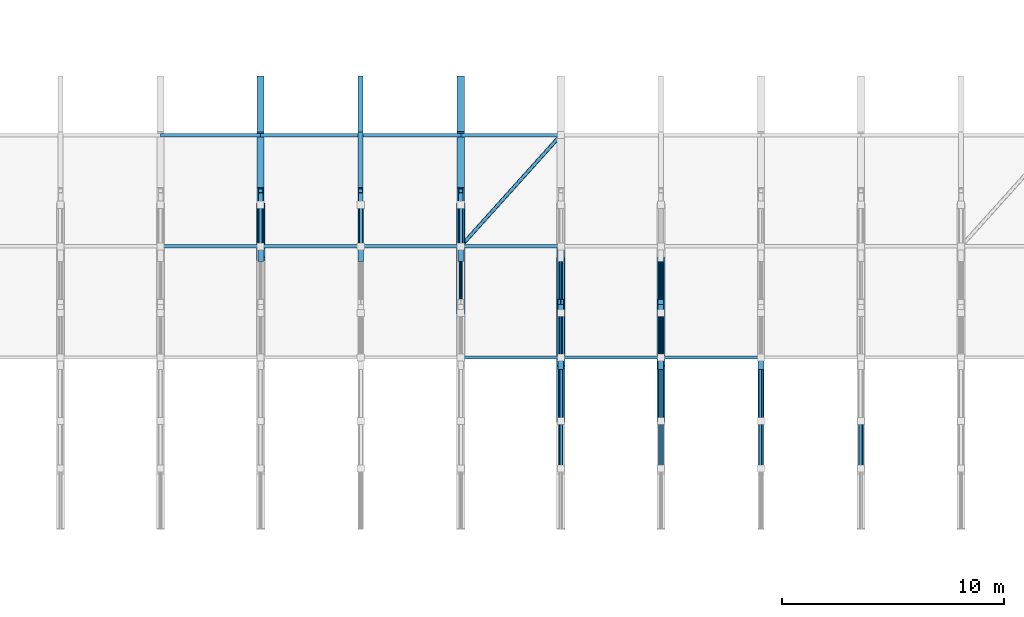
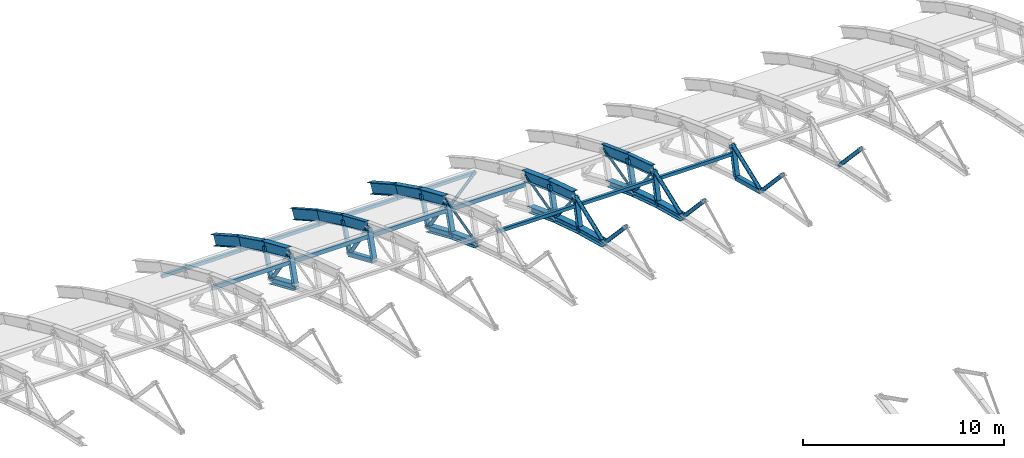
# One storey, part 69 of 103: 49 members, 13 beams.
"""IFC4 building model written with IfcOpenShell, lengths in metres."""

from ifc_helpers import new_model, si_unit, direction, frame, origin, origin_2d, place, context, subcontext, project, spatial, hollow_rectangle, hollow_circle, i_section, extrude, material, material_profile, profile_set, type_object, element, save


model = new_model("IFC4")

# Units and contexts
model_context = context("Model", 3, precision=1e-05, world=origin(), true_north=direction((0.0, 1.0)))
body_context = subcontext(model_context, "Body", "Model", "MODEL_VIEW")
ifc_project = project(units=[si_unit("LENGTHUNIT", "METRE"), si_unit("AREAUNIT", "SQUARE_METRE"), si_unit("VOLUMEUNIT", "CUBIC_METRE"), si_unit("PLANEANGLEUNIT", "RADIAN"), si_unit("MASSUNIT", "GRAM", prefix="KILO")], contexts=[model_context])

# Site, building, storey
site_placement = place(None, origin())
site = spatial("IfcSite", under=ifc_project, at=site_placement, CompositionType="ELEMENT")
building_placement = place(site_placement, origin())
building = spatial("IfcBuilding", under=site, at=building_placement, Name="Cazmaro Siding Exhibition Halls", CompositionType="ELEMENT")
storey_placement = place(building_placement, frame((0.0, 0.0, 16.5)))
storey = spatial("IfcBuildingStorey", under=building, at=storey_placement, Name="L03", CompositionType="ELEMENT", Elevation=16.5)

# Beams
ifc_material_1 = material(Name="Steel ASTM A992 Grade 50", Category="steel")
ifc_material_profile_1 = material_profile(ifc_material_1, i_section(OverallWidth=0.327880859375, OverallDepth=0.626953125, WebThickness=0.01708984375, FlangeThickness=0.028076171875, at=origin_2d()), Name="W24X146")
ifc_profile_set_1 = profile_set([ifc_material_profile_1], Name="Steel ASTM A992 Grade 50")
beam_type_1 = type_object("IfcBeamType", Name="AR-01", PredefinedType="USERDEFINED", material=ifc_profile_set_1)
beam_1_placement = place(storey_placement, frame((139.5, 114.0, 3.1220703125), z_axis=(0.0, 0.917729918626, -0.397204980405), x_axis=(-1.0, 0.0, 0.0)))
element("IfcBeam", 1, at=beam_1_placement, inside=storey, type_object=beam_type_1, Name="Space frame barrel vault arched rib AR-01 BM-1059", ObjectType="ARCHED RIB", PredefinedType="USERDEFINED", context=body_context, shape_type="SweptSolid", body=[
    extrude(i_section(OverallWidth=0.327880859375, OverallDepth=0.626953125, WebThickness=0.01708984375, FlangeThickness=0.028076171875, at=origin_2d()), origin(), (0.0, 0.0, 1.0), 2.72412109375),
])
beam_2_placement = place(storey_placement, frame((139.5, 116.5, 2.0400390625), z_axis=(0.0, 0.895996638269, -0.444060833908), x_axis=(-1.0, 0.0, 0.0)))
element("IfcBeam", 2, at=beam_2_placement, inside=storey, type_object=beam_type_1, Name="Space frame barrel vault arched rib AR-01 BM-1060", ObjectType="ARCHED RIB", PredefinedType="USERDEFINED", context=body_context, shape_type="SweptSolid", body=[
    extrude(i_section(OverallWidth=0.327880859375, OverallDepth=0.626953125, WebThickness=0.01708984375, FlangeThickness=0.028076171875, at=origin_2d()), origin(), (0.0, 0.0, 1.0), 2.790283203125),
])
beam_3_placement = place(storey_placement, frame((139.5, 119.0, 0.801025390625), z_axis=(0.0, 0.871320907359, -0.490713639916), x_axis=(-1.0, 0.0, 0.0)))
element("IfcBeam", 3, at=beam_3_placement, inside=storey, type_object=beam_type_1, Name="Space frame barrel vault arched rib AR-01 BM-1061", ObjectType="ARCHED RIB", PredefinedType="USERDEFINED", context=body_context, shape_type="SweptSolid", body=[
    extrude(i_section(OverallWidth=0.327880859375, OverallDepth=0.626953125, WebThickness=0.01708984375, FlangeThickness=0.028076171875, at=origin_2d()), origin(), (0.0, 0.0, 1.0), 2.869140625),
])
ifc_material_2 = material(Name="Steel ASTM A992 Grade 50", Category="steel")
ifc_material_profile_2 = material_profile(ifc_material_2, i_section(OverallWidth=0.324951171875, OverallDepth=0.612060546875, WebThickness=0.012939453125, FlangeThickness=0.01904296875, at=origin_2d()), Name="W24X104")
ifc_profile_set_2 = profile_set([ifc_material_profile_2], Name="Steel ASTM A992 Grade 50")
beam_type_2 = type_object("IfcBeamType", Name="AR-02", PredefinedType="USERDEFINED", material=ifc_profile_set_2)
beam_4_placement = place(storey_placement, frame((130.5, 114.0, 3.1220703125), z_axis=(0.0, 0.917729918626, -0.397204980405), x_axis=(-1.0, 0.0, 0.0)))
element("IfcBeam", 4, at=beam_4_placement, inside=storey, type_object=beam_type_2, Name="Space frame barrel vault arched rib AR-02 BM-1011", ObjectType="ARCHED RIB", PredefinedType="USERDEFINED", context=body_context, shape_type="SweptSolid", body=[
    extrude(i_section(OverallWidth=0.324951171875, OverallDepth=0.612060546875, WebThickness=0.012939453125, FlangeThickness=0.01904296875, at=origin_2d()), origin(), (0.0, 0.0, 1.0), 2.72412109375),
])
beam_5_placement = place(storey_placement, frame((130.5, 116.5, 2.0400390625), z_axis=(0.0, 0.895996638269, -0.444060833908), x_axis=(-1.0, 0.0, 0.0)))
element("IfcBeam", 5, at=beam_5_placement, inside=storey, type_object=beam_type_2, Name="Space frame barrel vault arched rib AR-02 BM-1012", ObjectType="ARCHED RIB", PredefinedType="USERDEFINED", context=body_context, shape_type="SweptSolid", body=[
    extrude(i_section(OverallWidth=0.324951171875, OverallDepth=0.612060546875, WebThickness=0.012939453125, FlangeThickness=0.01904296875, at=origin_2d()), origin(), (0.0, 0.0, 1.0), 2.790283203125),
])
beam_6_placement = place(storey_placement, frame((130.5, 119.0, 0.801025390625), z_axis=(0.0, 0.871320907359, -0.490713639916), x_axis=(-1.0, 0.0, 0.0)))
element("IfcBeam", 6, at=beam_6_placement, inside=storey, type_object=beam_type_2, Name="Space frame barrel vault arched rib AR-02 BM-1013", ObjectType="ARCHED RIB", PredefinedType="USERDEFINED", context=body_context, shape_type="SweptSolid", body=[
    extrude(i_section(OverallWidth=0.324951171875, OverallDepth=0.612060546875, WebThickness=0.012939453125, FlangeThickness=0.01904296875, at=origin_2d()), origin(), (0.0, 0.0, 1.0), 2.869140625),
])
beam_7_placement = place(storey_placement, frame((144.0, 109.0, 4.85498046875), z_axis=(0.0, 0.952769241759, -0.303695195811), x_axis=(-1.0, 0.0, 0.0)))
element("IfcBeam", 7, at=beam_7_placement, inside=storey, type_object=beam_type_2, Name="Space frame barrel vault arched rib AR-02 BM-1081", ObjectType="ARCHED RIB", PredefinedType="USERDEFINED", context=body_context, shape_type="SweptSolid", body=[
    extrude(i_section(OverallWidth=0.324951171875, OverallDepth=0.612060546875, WebThickness=0.012939453125, FlangeThickness=0.01904296875, at=origin_2d()), origin(), (0.0, 0.0, 1.0), 2.6240234375),
])
beam_8_placement = place(storey_placement, frame((144.0, 111.5, 4.05810546875), z_axis=(0.0, 0.936509460339, -0.350642311615), x_axis=(-1.0, 0.0, 0.0)))
element("IfcBeam", 8, at=beam_8_placement, inside=storey, type_object=beam_type_2, Name="Space frame barrel vault arched rib AR-02 BM-1082", ObjectType="ARCHED RIB", PredefinedType="USERDEFINED", context=body_context, shape_type="SweptSolid", body=[
    extrude(i_section(OverallWidth=0.324951171875, OverallDepth=0.612060546875, WebThickness=0.012939453125, FlangeThickness=0.01904296875, at=origin_2d()), origin(), (0.0, 0.0, 1.0), 2.66943359375),
])
ifc_material_3 = material(Name="Steel ASTM A992 Grade 50", Category="steel")
ifc_material_profile_3 = material_profile(ifc_material_3, i_section(OverallWidth=0.22900390625, OverallDepth=0.612060546875, WebThickness=0.011962890625, FlangeThickness=0.02001953125, at=origin_2d()), Name="W24X84")
ifc_profile_set_3 = profile_set([ifc_material_profile_3], Name="Steel ASTM A992 Grade 50")
beam_type_3 = type_object("IfcBeamType", Name="AR-03", PredefinedType="USERDEFINED", material=ifc_profile_set_3)
beam_9_placement = place(storey_placement, frame((135.0, 114.0, 3.1220703125), z_axis=(0.0, 0.917729918626, -0.397204980405), x_axis=(-1.0, 0.0, 0.0)))
element("IfcBeam", 9, at=beam_9_placement, inside=storey, type_object=beam_type_3, Name="Space frame barrel vault arched rib AR-03 BM-1035", ObjectType="ARCHED RIB", PredefinedType="USERDEFINED", context=body_context, shape_type="SweptSolid", body=[
    extrude(i_section(OverallWidth=0.22900390625, OverallDepth=0.612060546875, WebThickness=0.011962890625, FlangeThickness=0.02001953125, at=origin_2d()), origin(), (0.0, 0.0, 1.0), 2.72412109375),
])
beam_10_placement = place(storey_placement, frame((135.0, 116.5, 2.0400390625), z_axis=(0.0, 0.895996638269, -0.444060833908), x_axis=(-1.0, 0.0, 0.0)))
element("IfcBeam", 10, at=beam_10_placement, inside=storey, type_object=beam_type_3, Name="Space frame barrel vault arched rib AR-03 BM-1036", ObjectType="ARCHED RIB", PredefinedType="USERDEFINED", context=body_context, shape_type="SweptSolid", body=[
    extrude(i_section(OverallWidth=0.22900390625, OverallDepth=0.612060546875, WebThickness=0.011962890625, FlangeThickness=0.02001953125, at=origin_2d()), origin(), (0.0, 0.0, 1.0), 2.790283203125),
])
beam_11_placement = place(storey_placement, frame((135.0, 119.0, 0.801025390625), z_axis=(0.0, 0.871320907359, -0.490713639916), x_axis=(-1.0, 0.0, 0.0)))
element("IfcBeam", 11, at=beam_11_placement, inside=storey, type_object=beam_type_3, Name="Space frame barrel vault arched rib AR-03 BM-1037", ObjectType="ARCHED RIB", PredefinedType="USERDEFINED", context=body_context, shape_type="SweptSolid", body=[
    extrude(i_section(OverallWidth=0.22900390625, OverallDepth=0.612060546875, WebThickness=0.011962890625, FlangeThickness=0.02001953125, at=origin_2d()), origin(), (0.0, 0.0, 1.0), 2.869140625),
])
beam_12_placement = place(storey_placement, frame((148.5, 109.0, 4.85498046875), z_axis=(0.0, 0.952769241759, -0.303695195811), x_axis=(-1.0, 0.0, 0.0)))
element("IfcBeam", 12, at=beam_12_placement, inside=storey, type_object=beam_type_3, Name="Space frame barrel vault arched rib AR-03 BM-1105", ObjectType="ARCHED RIB", PredefinedType="USERDEFINED", context=body_context, shape_type="SweptSolid", body=[
    extrude(i_section(OverallWidth=0.22900390625, OverallDepth=0.612060546875, WebThickness=0.011962890625, FlangeThickness=0.02001953125, at=origin_2d()), origin(), (0.0, 0.0, 1.0), 2.6240234375),
])
beam_13_placement = place(storey_placement, frame((148.5, 111.5, 4.05810546875), z_axis=(0.0, 0.936509460339, -0.350642311615), x_axis=(-1.0, 0.0, 0.0)))
element("IfcBeam", 13, at=beam_13_placement, inside=storey, type_object=beam_type_3, Name="Space frame barrel vault arched rib AR-03 BM-1106", ObjectType="ARCHED RIB", PredefinedType="USERDEFINED", context=body_context, shape_type="SweptSolid", body=[
    extrude(i_section(OverallWidth=0.22900390625, OverallDepth=0.612060546875, WebThickness=0.011962890625, FlangeThickness=0.02001953125, at=origin_2d()), origin(), (0.0, 0.0, 1.0), 2.66943359375),
])

# Members
ifc_material_4 = material(Name="Steel ASTM A500 Grade C", Category="steel")
ifc_material_profile_4 = material_profile(ifc_material_4, hollow_rectangle(XDim=0.152099609375, YDim=0.202880859375, WallThickness=0.011962890625, at=origin_2d()), Name="HSS8X6X1/2")
ifc_profile_set_4 = profile_set([ifc_material_profile_4], Name="Steel ASTM A500 Grade C")
member_type_1 = type_object("IfcMemberType", Name="RP-01", PredefinedType="PURLIN", material=ifc_profile_set_4)
for number, where, z_axis, x_axis, name in (
    (14, (126.0, 119.0, 0.260986328125), (1.0, 0.0, 0.0), (0.0, 1.0, 0.0), "Space frame barrel vault purlin RP-01 MEM-2190"),
    (15, (130.5, 119.0, 0.260986328125), (1.0, 0.0, 0.0), (0.0, 1.0, 0.0), "Space frame barrel vault purlin RP-01 MEM-2201"),
    (16, (135.0, 119.0, 0.260986328125), (1.0, 0.0, 0.0), (0.0, 1.0, 0.0), "Space frame barrel vault purlin RP-01 MEM-2212"),
    (17, (139.5, 109.0, 4.31494140625), (1.0, 0.0, 0.0), (0.0, 1.0, 0.0), "Space frame barrel vault purlin RP-01 MEM-2221"),
    (18, (139.5, 119.0, 0.260986328125), (1.0, 0.0, 0.0), (0.0, 1.0, 0.0), "Space frame barrel vault purlin RP-01 MEM-2223"),
    (19, (144.0, 109.0, 4.31494140625), (1.0, 0.0, 0.0), (0.0, 1.0, 0.0), "Space frame barrel vault purlin RP-01 MEM-2238"),
    (20, (148.5, 109.0, 4.31494140625), (1.0, 0.0, 0.0), (0.0, 1.0, 0.0), "Space frame barrel vault purlin RP-01 MEM-2249"),
):
    element("IfcMember", number, at=place(storey_placement, frame(where, z_axis=z_axis, x_axis=x_axis)), inside=storey, type_object=member_type_1, Name=name, PredefinedType="PURLIN", context=body_context, shape_type="SweptSolid", body=[
        extrude(hollow_rectangle(XDim=0.152099609375, YDim=0.202880859375, WallThickness=0.011962890625, at=origin_2d()), origin(), (0.0, 0.0, 1.0), 4.5),
    ])
ifc_material_5 = material(Name="Steel ASTM A500 Grade C", Category="steel")
ifc_material_profile_5 = material_profile(ifc_material_5, hollow_rectangle(XDim=0.152099609375, YDim=0.25390625, WallThickness=0.011962890625, at=origin_2d()), Name="HSS10X6X1/2")
ifc_profile_set_5 = profile_set([ifc_material_profile_5], Name="Steel ASTM A500 Grade C")
member_type_2 = type_object("IfcMemberType", Name="RP-04", PredefinedType="PURLIN", material=ifc_profile_set_5)
for number, where, z_axis, x_axis, name in (
    (21, (126.0, 114.0, 2.58203125), (1.0, 0.0, 0.0), (0.0, 1.0, 0.0), "Space frame barrel vault purlin RP-04 MEM-2189"),
    (22, (130.5, 114.0, 2.58203125), (1.0, 0.0, 0.0), (0.0, 1.0, 0.0), "Space frame barrel vault purlin RP-04 MEM-2200"),
    (23, (135.0, 114.0, 2.58203125), (1.0, 0.0, 0.0), (0.0, 1.0, 0.0), "Space frame barrel vault purlin RP-04 MEM-2211"),
    (24, (139.5, 114.0, 2.58203125), (1.0, 0.0, 0.0), (0.0, 1.0, 0.0), "Space frame barrel vault purlin RP-04 MEM-2222"),
):
    element("IfcMember", number, at=place(storey_placement, frame(where, z_axis=z_axis, x_axis=x_axis)), inside=storey, type_object=member_type_2, Name=name, PredefinedType="PURLIN", context=body_context, shape_type="SweptSolid", body=[
        extrude(hollow_rectangle(XDim=0.152099609375, YDim=0.25390625, WallThickness=0.011962890625, at=origin_2d()), origin(), (0.0, 0.0, 1.0), 4.5),
    ])
ifc_material_6 = material(Name="Steel ASTM A500 Grade C", Category="steel")
ifc_material_profile_6 = material_profile(ifc_material_6, hollow_rectangle(XDim=0.25390625, YDim=0.25390625, WallThickness=0.014892578125, at=origin_2d()), Name="HSS10X10X5/8")
ifc_profile_set_6 = profile_set([ifc_material_profile_6], Name="Steel ASTM A500 Grade C")
member_type_3 = type_object("IfcMemberType", Name="TC-01", PredefinedType="CHORD", material=ifc_profile_set_6)
member_1_placement = place(storey_placement, frame((135.0, 113.43896484375, 1.430908203125), z_axis=(0.0, 0.917689003843, -0.397299499403), x_axis=(-1.0, 0.0, 0.0)))
element("IfcMember", 25, at=member_1_placement, inside=storey, type_object=member_type_3, Name="Space frame barrel vault bottom chord TC-01 MEM-1413", PredefinedType="CHORD", context=body_context, shape_type="SweptSolid", body=[
    extrude(hollow_rectangle(XDim=0.25390625, YDim=0.25390625, WallThickness=0.014892578125, at=origin_2d()), origin(), (0.0, 0.0, 1.0), 2.64794921875),
])
member_2_placement = place(storey_placement, frame((153.0, 106.14990234375, 3.760986328125), z_axis=(0.0, 0.966437683387, -0.256901156343), x_axis=(-1.0, 0.0, 0.0)))
element("IfcMember", 26, at=member_2_placement, inside=storey, type_object=member_type_3, Name="Space frame barrel vault bottom chord TC-01 MEM-1691", PredefinedType="CHORD", context=body_context, shape_type="SweptSolid", body=[
    extrude(hollow_rectangle(XDim=0.25390625, YDim=0.25390625, WallThickness=0.014892578125, at=origin_2d()), origin(), (0.0, 0.0, 1.0), 2.5146484375),
])
ifc_material_7 = material(Name="Steel ASTM A992 Grade 50", Category="steel")
ifc_material_profile_7 = material_profile(ifc_material_7, i_section(OverallWidth=0.37109375, OverallDepth=0.364013671875, WebThickness=0.012939453125, FlangeThickness=0.02197265625, at=origin_2d()), Name="W14X109")
ifc_profile_set_7 = profile_set([ifc_material_profile_7], Name="Steel ASTM A992 Grade 50")
member_type_4 = type_object("IfcMemberType", Name="TC-06", PredefinedType="CHORD", material=ifc_profile_set_7)
member_3_placement = place(storey_placement, frame((130.5, 113.43896484375, 1.430908203125), z_axis=(0.0, 0.917689003843, -0.397299499403), x_axis=(-1.0, 0.0, 0.0)))
element("IfcMember", 27, at=member_3_placement, inside=storey, type_object=member_type_4, Name="Space frame barrel vault bottom chord TC-06 MEM-1342", PredefinedType="CHORD", context=body_context, shape_type="SweptSolid", body=[
    extrude(i_section(OverallWidth=0.37109375, OverallDepth=0.364013671875, WebThickness=0.012939453125, FlangeThickness=0.02197265625, at=origin_2d()), origin(), (0.0, 0.0, 1.0), 2.64794921875),
])
member_4_placement = place(storey_placement, frame((139.5, 111.009033203125, 2.340087890625), z_axis=(0.0, 0.936588022869, -0.350432412053), x_axis=(-1.0, 0.0, 0.0)))
element("IfcMember", 28, at=member_4_placement, inside=storey, type_object=member_type_4, Name="Space frame barrel vault bottom chord TC-06 MEM-1482", PredefinedType="CHORD", context=body_context, shape_type="SweptSolid", body=[
    extrude(i_section(OverallWidth=0.37109375, OverallDepth=0.364013671875, WebThickness=0.012939453125, FlangeThickness=0.02197265625, at=origin_2d()), origin(), (0.0, 0.0, 1.0), 2.594482421875),
])
member_5_placement = place(storey_placement, frame((139.5, 113.43896484375, 1.430908203125), z_axis=(0.0, 0.917689003843, -0.397299499403), x_axis=(-1.0, 0.0, 0.0)))
element("IfcMember", 29, at=member_5_placement, inside=storey, type_object=member_type_4, Name="Space frame barrel vault bottom chord TC-06 MEM-1484", PredefinedType="CHORD", context=body_context, shape_type="SweptSolid", body=[
    extrude(i_section(OverallWidth=0.37109375, OverallDepth=0.364013671875, WebThickness=0.012939453125, FlangeThickness=0.02197265625, at=origin_2d()), origin(), (0.0, 0.0, 1.0), 2.64794921875),
])
member_6_placement = place(storey_placement, frame((144.0, 106.14990234375, 3.760986328125), z_axis=(0.0, 0.966437683387, -0.256901156343), x_axis=(-1.0, 0.0, 0.0)))
element("IfcMember", 30, at=member_6_placement, inside=storey, type_object=member_type_4, Name="Space frame barrel vault bottom chord TC-06 MEM-1549", PredefinedType="CHORD", context=body_context, shape_type="SweptSolid", body=[
    extrude(i_section(OverallWidth=0.37109375, OverallDepth=0.364013671875, WebThickness=0.012939453125, FlangeThickness=0.02197265625, at=origin_2d()), origin(), (0.0, 0.0, 1.0), 2.5146484375),
])
member_7_placement = place(storey_placement, frame((144.0, 108.580078125, 3.114990234375), z_axis=(0.0, 0.952692842525, -0.303934775573), x_axis=(-1.0, 0.0, 0.0)))
element("IfcMember", 31, at=member_7_placement, inside=storey, type_object=member_type_4, Name="Space frame barrel vault bottom chord TC-06 MEM-1551", PredefinedType="CHORD", context=body_context, shape_type="SweptSolid", body=[
    extrude(i_section(OverallWidth=0.37109375, OverallDepth=0.364013671875, WebThickness=0.012939453125, FlangeThickness=0.02197265625, at=origin_2d()), origin(), (0.0, 0.0, 1.0), 2.549560546875),
])
member_8_placement = place(storey_placement, frame((144.0, 111.009033203125, 2.340087890625), z_axis=(0.0, 0.936588022869, -0.350432412053), x_axis=(-1.0, 0.0, 0.0)))
element("IfcMember", 32, at=member_8_placement, inside=storey, type_object=member_type_4, Name="Space frame barrel vault bottom chord TC-06 MEM-1553", PredefinedType="CHORD", context=body_context, shape_type="SweptSolid", body=[
    extrude(i_section(OverallWidth=0.37109375, OverallDepth=0.364013671875, WebThickness=0.012939453125, FlangeThickness=0.02197265625, at=origin_2d()), origin(), (0.0, 0.0, 1.0), 2.594482421875),
])
member_9_placement = place(storey_placement, frame((148.5, 106.14990234375, 3.760986328125), z_axis=(0.0, 0.966437683387, -0.256901156343), x_axis=(-1.0, 0.0, 0.0)))
element("IfcMember", 33, at=member_9_placement, inside=storey, type_object=member_type_4, Name="Space frame barrel vault bottom chord TC-06 MEM-1620", PredefinedType="CHORD", context=body_context, shape_type="SweptSolid", body=[
    extrude(i_section(OverallWidth=0.37109375, OverallDepth=0.364013671875, WebThickness=0.012939453125, FlangeThickness=0.02197265625, at=origin_2d()), origin(), (0.0, 0.0, 1.0), 2.5146484375),
])
member_10_placement = place(storey_placement, frame((148.5, 108.580078125, 3.114990234375), z_axis=(0.0, 0.952692842525, -0.303934775573), x_axis=(-1.0, 0.0, 0.0)))
element("IfcMember", 34, at=member_10_placement, inside=storey, type_object=member_type_4, Name="Space frame barrel vault bottom chord TC-06 MEM-1622", PredefinedType="CHORD", context=body_context, shape_type="SweptSolid", body=[
    extrude(i_section(OverallWidth=0.37109375, OverallDepth=0.364013671875, WebThickness=0.012939453125, FlangeThickness=0.02197265625, at=origin_2d()), origin(), (0.0, 0.0, 1.0), 2.549560546875),
])
member_11_placement = place(storey_placement, frame((148.5, 111.009033203125, 2.340087890625), z_axis=(0.0, 0.936588022869, -0.350432412053), x_axis=(-1.0, 0.0, 0.0)))
element("IfcMember", 35, at=member_11_placement, inside=storey, type_object=member_type_4, Name="Space frame barrel vault bottom chord TC-06 MEM-1624", PredefinedType="CHORD", context=body_context, shape_type="SweptSolid", body=[
    extrude(i_section(OverallWidth=0.37109375, OverallDepth=0.364013671875, WebThickness=0.012939453125, FlangeThickness=0.02197265625, at=origin_2d()), origin(), (0.0, 0.0, 1.0), 2.594482421875),
])
ifc_material_8 = material(Name="Steel ASTM A500 Grade C", Category="steel")
ifc_material_profile_8 = material_profile(ifc_material_8, hollow_rectangle(XDim=0.202880859375, YDim=0.202880859375, WallThickness=0.011962890625, at=origin_2d()), Name="HSS8X8X1/2")
ifc_profile_set_8 = profile_set([ifc_material_profile_8], Name="Steel ASTM A500 Grade C")
member_type_5 = type_object("IfcMemberType", Name="TP-01", PredefinedType="POST", material=ifc_profile_set_8)
for number, where, z_axis, x_axis, name in (
    (36, (130.5, 115.868896484375, 0.37890625), (0.0, 0.355155331276, 0.934807301355), (-1.0, 0.0, 0.0), "Space frame barrel vault post TP-01 MEM-1370"),
    (37, (135.0, 115.868896484375, 0.37890625), (0.0, 0.355155331276, 0.934807301355), (-1.0, 0.0, 0.0), "Space frame barrel vault post TP-01 MEM-1441"),
    (38, (139.5, 115.868896484375, 0.37890625), (0.0, 0.355155331276, 0.934807301355), (-1.0, 0.0, 0.0), "Space frame barrel vault post TP-01 MEM-1512"),
):
    element("IfcMember", number, at=place(storey_placement, frame(where, z_axis=z_axis, x_axis=x_axis)), inside=storey, type_object=member_type_5, Name=name, PredefinedType="POST", context=body_context, shape_type="SweptSolid", body=[
        extrude(hollow_rectangle(XDim=0.202880859375, YDim=0.202880859375, WallThickness=0.011962890625, at=origin_2d()), origin(), (0.0, 0.0, 1.0), 1.777099609375),
    ])
ifc_material_9 = material(Name="Steel ASTM A992 Grade 50", Category="steel")
ifc_material_profile_9 = material_profile(ifc_material_9, i_section(OverallWidth=0.25390625, OverallDepth=0.25390625, WebThickness=0.009033203125, FlangeThickness=0.013916015625, at=origin_2d()), Name="W10X49")
ifc_profile_set_9 = profile_set([ifc_material_profile_9], Name="Steel ASTM A992 Grade 50")
member_type_6 = type_object("IfcMemberType", Name="TP-04", PredefinedType="POST", material=ifc_profile_set_9)
for number, where, z_axis, x_axis, name in (
    (39, (130.5, 113.43896484375, 1.430908203125), (0.0, 0.314870949103, 0.949134492794), (-1.0, 0.0, 0.0), "Space frame barrel vault post TP-04 MEM-1369"),
    (40, (135.0, 113.43896484375, 1.430908203125), (0.0, 0.314870949103, 0.949134492794), (-1.0, 0.0, 0.0), "Space frame barrel vault post TP-04 MEM-1440"),
    (41, (139.5, 113.43896484375, 1.430908203125), (0.0, 0.314870949103, 0.949134492794), (-1.0, 0.0, 0.0), "Space frame barrel vault post TP-04 MEM-1511"),
):
    element("IfcMember", number, at=place(storey_placement, frame(where, z_axis=z_axis, x_axis=x_axis)), inside=storey, type_object=member_type_6, Name=name, PredefinedType="POST", context=body_context, shape_type="SweptSolid", body=[
        extrude(i_section(OverallWidth=0.25390625, OverallDepth=0.25390625, WebThickness=0.009033203125, FlangeThickness=0.013916015625, at=origin_2d()), origin(), (0.0, 0.0, 1.0), 1.78173828125),
    ])
member_12_placement = place(storey_placement, frame((144.0, 108.580078125, 3.114990234375), z_axis=(0.0, 0.234600533729, 0.972091862724), x_axis=(-1.0, 0.0, 0.0)))
element("IfcMember", 42, at=member_12_placement, inside=storey, type_object=member_type_6, Name="Space frame barrel vault post TP-04 MEM-1580", PredefinedType="POST", context=body_context, shape_type="SweptSolid", body=[
    extrude(i_section(OverallWidth=0.25390625, OverallDepth=0.25390625, WebThickness=0.009033203125, FlangeThickness=0.013916015625, at=origin_2d()), origin(), (0.0, 0.0, 1.0), 1.7900390625),
])
member_13_placement = place(storey_placement, frame((144.0, 111.009033203125, 2.340087890625), z_axis=(0.0, 0.274775266308, 0.961508477875), x_axis=(-1.0, 0.0, 0.0)))
element("IfcMember", 43, at=member_13_placement, inside=storey, type_object=member_type_6, Name="Space frame barrel vault post TP-04 MEM-1581", PredefinedType="POST", context=body_context, shape_type="SweptSolid", body=[
    extrude(i_section(OverallWidth=0.25390625, OverallDepth=0.25390625, WebThickness=0.009033203125, FlangeThickness=0.013916015625, at=origin_2d()), origin(), (0.0, 0.0, 1.0), 1.786865234375),
])
member_14_placement = place(storey_placement, frame((148.5, 108.580078125, 3.114990234375), z_axis=(0.0, 0.234600533729, 0.972091862724), x_axis=(-1.0, 0.0, 0.0)))
element("IfcMember", 44, at=member_14_placement, inside=storey, type_object=member_type_6, Name="Space frame barrel vault post TP-04 MEM-1651", PredefinedType="POST", context=body_context, shape_type="SweptSolid", body=[
    extrude(i_section(OverallWidth=0.25390625, OverallDepth=0.25390625, WebThickness=0.009033203125, FlangeThickness=0.013916015625, at=origin_2d()), origin(), (0.0, 0.0, 1.0), 1.7900390625),
])
member_15_placement = place(storey_placement, frame((148.5, 111.009033203125, 2.340087890625), z_axis=(0.0, 0.274775266308, 0.961508477875), x_axis=(-1.0, 0.0, 0.0)))
element("IfcMember", 45, at=member_15_placement, inside=storey, type_object=member_type_6, Name="Space frame barrel vault post TP-04 MEM-1652", PredefinedType="POST", context=body_context, shape_type="SweptSolid", body=[
    extrude(i_section(OverallWidth=0.25390625, OverallDepth=0.25390625, WebThickness=0.009033203125, FlangeThickness=0.013916015625, at=origin_2d()), origin(), (0.0, 0.0, 1.0), 1.786865234375),
])
member_16_placement = place(storey_placement, frame((153.0, 108.580078125, 3.114990234375), z_axis=(0.0, 0.234600533729, 0.972091862724), x_axis=(-1.0, 0.0, 0.0)))
element("IfcMember", 46, at=member_16_placement, inside=storey, type_object=member_type_6, Name="Space frame barrel vault post TP-04 MEM-1722", PredefinedType="POST", context=body_context, shape_type="SweptSolid", body=[
    extrude(i_section(OverallWidth=0.25390625, OverallDepth=0.25390625, WebThickness=0.009033203125, FlangeThickness=0.013916015625, at=origin_2d()), origin(), (0.0, 0.0, 1.0), 1.7900390625),
])
ifc_material_10 = material(Name="Steel ASTM A500 Grade C", Category="steel")
ifc_material_profile_10 = material_profile(ifc_material_10, hollow_circle(Radius=0.109619140625, WallThickness=0.012939453125, at=origin_2d()), Name="PIPE8XS")
ifc_profile_set_10 = profile_set([ifc_material_profile_10], Name="Steel ASTM A500 Grade C")
member_type_7 = type_object("IfcMemberType", Name="WB-01", PredefinedType="BRACE", material=ifc_profile_set_10)
for number, where, z_axis, x_axis, name in (
    (47, (130.5, 114.0, 3.1220703125), (0.0, 0.563040090795, -0.826429583302), (-1.0, 0.0, 0.0), "Space frame barrel vault diagonal WB-01 MEM-1343"),
    (48, (135.0, 114.0, 3.1220703125), (0.0, 0.563040090795, -0.826429583302), (-1.0, 0.0, 0.0), "Space frame barrel vault diagonal WB-01 MEM-1414"),
    (49, (139.5, 114.0, 3.1220703125), (0.0, 0.563040090795, -0.826429583302), (-1.0, 0.0, 0.0), "Space frame barrel vault diagonal WB-01 MEM-1485"),
):
    element("IfcMember", number, at=place(storey_placement, frame(where, z_axis=z_axis, x_axis=x_axis)), inside=storey, type_object=member_type_7, Name=name, PredefinedType="BRACE", context=body_context, shape_type="SweptSolid", body=[
        extrude(hollow_circle(Radius=0.109619140625, WallThickness=0.012939453125, at=origin_2d()), origin(), (0.0, 0.0, 1.0), 3.3193359375),
    ])
member_17_placement = place(storey_placement, frame((144.0, 104.0, 6.056884765625), z_axis=(0.0, 0.683517575744, -0.729934054315), x_axis=(-1.0, 0.0, 0.0)))
element("IfcMember", 50, at=member_17_placement, inside=storey, type_object=member_type_7, Name="Space frame barrel vault diagonal WB-01 MEM-1548", PredefinedType="BRACE", context=body_context, shape_type="SweptSolid", body=[
    extrude(hollow_circle(Radius=0.109619140625, WallThickness=0.012939453125, at=origin_2d()), origin(), (0.0, 0.0, 1.0), 3.145263671875),
])
member_18_placement = place(storey_placement, frame((144.0, 106.14990234375, 3.760986328125), z_axis=(0.0, 0.933586546586, 0.358352005761), x_axis=(-1.0, 0.0, 0.0)))
element("IfcMember", 51, at=member_18_placement, inside=storey, type_object=member_type_7, Name="Space frame barrel vault diagonal WB-01 MEM-1550", PredefinedType="BRACE", context=body_context, shape_type="SweptSolid", body=[
    extrude(hollow_circle(Radius=0.109619140625, WallThickness=0.012939453125, at=origin_2d()), origin(), (0.0, 0.0, 1.0), 3.052734375),
])
member_19_placement = place(storey_placement, frame((148.5, 104.0, 6.056884765625), z_axis=(0.0, 0.683517575744, -0.729934054315), x_axis=(-1.0, 0.0, 0.0)))
element("IfcMember", 52, at=member_19_placement, inside=storey, type_object=member_type_7, Name="Space frame barrel vault diagonal WB-01 MEM-1619", PredefinedType="BRACE", context=body_context, shape_type="SweptSolid", body=[
    extrude(hollow_circle(Radius=0.109619140625, WallThickness=0.012939453125, at=origin_2d()), origin(), (0.0, 0.0, 1.0), 3.145263671875),
])
member_20_placement = place(storey_placement, frame((148.5, 106.14990234375, 3.760986328125), z_axis=(0.0, 0.933586546586, 0.358352005761), x_axis=(-1.0, 0.0, 0.0)))
element("IfcMember", 53, at=member_20_placement, inside=storey, type_object=member_type_7, Name="Space frame barrel vault diagonal WB-01 MEM-1621", PredefinedType="BRACE", context=body_context, shape_type="SweptSolid", body=[
    extrude(hollow_circle(Radius=0.109619140625, WallThickness=0.012939453125, at=origin_2d()), origin(), (0.0, 0.0, 1.0), 3.052734375),
])
member_21_placement = place(storey_placement, frame((153.0, 104.0, 6.056884765625), z_axis=(0.0, 0.683517575744, -0.729934054315), x_axis=(-1.0, 0.0, 0.0)))
element("IfcMember", 54, at=member_21_placement, inside=storey, type_object=member_type_7, Name="Space frame barrel vault diagonal WB-01 MEM-1690", PredefinedType="BRACE", context=body_context, shape_type="SweptSolid", body=[
    extrude(hollow_circle(Radius=0.109619140625, WallThickness=0.012939453125, at=origin_2d()), origin(), (0.0, 0.0, 1.0), 3.145263671875),
])
member_22_placement = place(storey_placement, frame((153.0, 106.14990234375, 3.760986328125), z_axis=(0.0, 0.933586546586, 0.358352005761), x_axis=(-1.0, 0.0, 0.0)))
element("IfcMember", 55, at=member_22_placement, inside=storey, type_object=member_type_7, Name="Space frame barrel vault diagonal WB-01 MEM-1692", PredefinedType="BRACE", context=body_context, shape_type="SweptSolid", body=[
    extrude(hollow_circle(Radius=0.109619140625, WallThickness=0.012939453125, at=origin_2d()), origin(), (0.0, 0.0, 1.0), 3.052734375),
])
member_23_placement = place(storey_placement, frame((157.5, 104.0, 6.056884765625), z_axis=(0.0, 0.683517575744, -0.729934054315), x_axis=(-1.0, 0.0, 0.0)))
element("IfcMember", 56, at=member_23_placement, inside=storey, type_object=member_type_7, Name="Space frame barrel vault diagonal WB-01 MEM-1761", PredefinedType="BRACE", context=body_context, shape_type="SweptSolid", body=[
    extrude(hollow_circle(Radius=0.109619140625, WallThickness=0.012939453125, at=origin_2d()), origin(), (0.0, 0.0, 1.0), 3.145263671875),
])
ifc_material_11 = material(Name="Steel ASTM A500 Grade C", Category="steel")
ifc_material_profile_11 = material_profile(ifc_material_11, hollow_circle(Radius=0.083984375, WallThickness=0.01806640625, at=origin_2d()), Name="PIPE6XXS")
ifc_profile_set_11 = profile_set([ifc_material_profile_11], Name="Steel ASTM A500 Grade C")
member_type_8 = type_object("IfcMemberType", Name="WB-05", PredefinedType="BRACE", material=ifc_profile_set_11)
member_24_placement = place(storey_placement, frame((139.5, 114.0, 2.58203125), z_axis=(0.632379029545, 0.702643366161, -0.326173363384), x_axis=(-0.743294146247, 0.668964731622, 0.0)))
element("IfcMember", 57, at=member_24_placement, inside=storey, type_object=member_type_8, Name="Space frame barrel vault wind brace WB-05 MEM-2227", PredefinedType="BRACE", context=body_context, shape_type="SweptSolid", body=[
    extrude(hollow_circle(Radius=0.083984375, WallThickness=0.01806640625, at=origin_2d()), origin(), (0.0, 0.0, 1.0), 7.115966796875),
])
ifc_material_12 = material(Name="Steel ASTM A500 Grade C", Category="steel")
ifc_material_profile_12 = material_profile(ifc_material_12, hollow_circle(Radius=0.070556640625, WallThickness=0.01904296875, at=origin_2d()), Name="PIPE5XXS")
ifc_profile_set_12 = profile_set([ifc_material_profile_12], Name="Steel ASTM A500 Grade C")
member_type_9 = type_object("IfcMemberType", Name="WB-07", PredefinedType="BRACE", material=ifc_profile_set_12)
member_25_placement = place(storey_placement, frame((139.5, 111.009033203125, 2.340087890625), z_axis=(0.0, 0.967480432857, 0.252945867802), x_axis=(-1.0, 0.0, 0.0)))
element("IfcMember", 58, at=member_25_placement, inside=storey, type_object=member_type_9, Name="Space frame barrel vault diagonal WB-07 MEM-1483", PredefinedType="BRACE", context=body_context, shape_type="SweptSolid", body=[
    extrude(hollow_circle(Radius=0.070556640625, WallThickness=0.01904296875, at=origin_2d()), origin(), (0.0, 0.0, 1.0), 3.091552734375),
])
member_26_placement = place(storey_placement, frame((144.0, 109.0, 4.85498046875), z_axis=(0.0, 0.624149162907, -0.781305204412), x_axis=(-1.0, 0.0, 0.0)))
element("IfcMember", 59, at=member_26_placement, inside=storey, type_object=member_type_9, Name="Space frame barrel vault diagonal WB-07 MEM-1552", PredefinedType="BRACE", context=body_context, shape_type="SweptSolid", body=[
    extrude(hollow_circle(Radius=0.070556640625, WallThickness=0.01904296875, at=origin_2d()), origin(), (0.0, 0.0, 1.0), 3.21875),
])
member_27_placement = place(storey_placement, frame((144.0, 111.009033203125, 2.340087890625), z_axis=(0.0, 0.967480432857, 0.252945867802), x_axis=(-1.0, 0.0, 0.0)))
element("IfcMember", 60, at=member_27_placement, inside=storey, type_object=member_type_9, Name="Space frame barrel vault diagonal WB-07 MEM-1554", PredefinedType="BRACE", context=body_context, shape_type="SweptSolid", body=[
    extrude(hollow_circle(Radius=0.070556640625, WallThickness=0.01904296875, at=origin_2d()), origin(), (0.0, 0.0, 1.0), 3.091552734375),
])
member_28_placement = place(storey_placement, frame((148.5, 109.0, 4.85498046875), z_axis=(0.0, 0.624149162907, -0.781305204412), x_axis=(-1.0, 0.0, 0.0)))
element("IfcMember", 61, at=member_28_placement, inside=storey, type_object=member_type_9, Name="Space frame barrel vault diagonal WB-07 MEM-1623", PredefinedType="BRACE", context=body_context, shape_type="SweptSolid", body=[
    extrude(hollow_circle(Radius=0.070556640625, WallThickness=0.01904296875, at=origin_2d()), origin(), (0.0, 0.0, 1.0), 3.21875),
])
member_29_placement = place(storey_placement, frame((148.5, 111.009033203125, 2.340087890625), z_axis=(0.0, 0.967480432857, 0.252945867802), x_axis=(-1.0, 0.0, 0.0)))
element("IfcMember", 62, at=member_29_placement, inside=storey, type_object=member_type_9, Name="Space frame barrel vault diagonal WB-07 MEM-1625", PredefinedType="BRACE", context=body_context, shape_type="SweptSolid", body=[
    extrude(hollow_circle(Radius=0.070556640625, WallThickness=0.01904296875, at=origin_2d()), origin(), (0.0, 0.0, 1.0), 3.091552734375),
])

save(model, "model.ifc")
